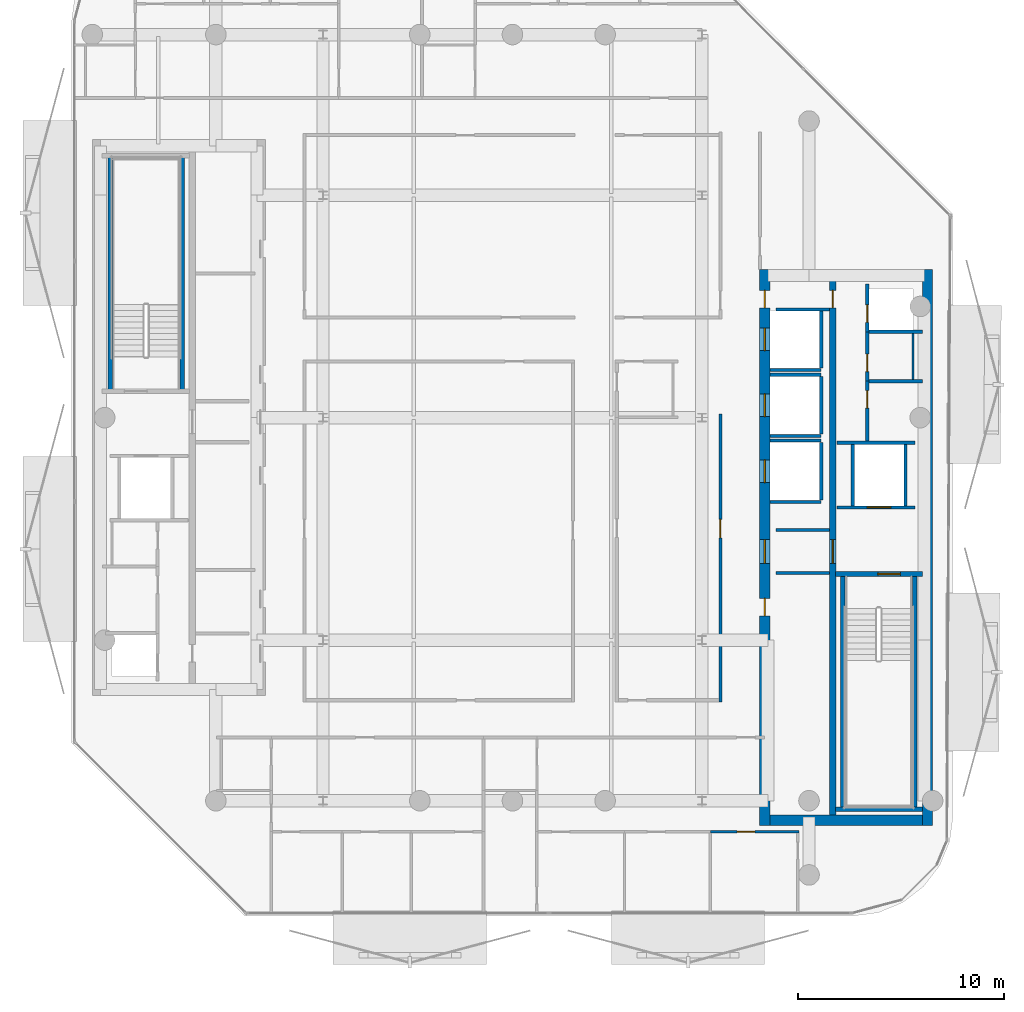
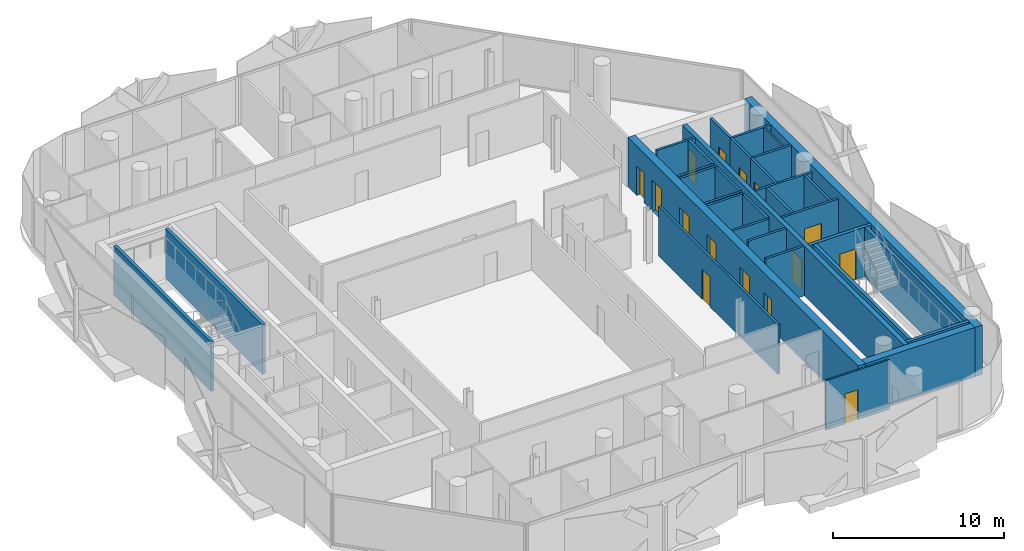
# One storey, part 6 of 17: 33 walls, 15 doors, 15 openings.
"""IFC4 building model written with IfcOpenShell, lengths in metres."""

from ifc_helpers import new_model, si_unit, direction, frame, frame_2d, origin, place, context, subcontext, project, spatial, rectangle, extrude, material, layer, layer_set, type_object, element, fill, save


model = new_model("IFC4")

# Units and contexts
model_context = context("Model", 3, precision=1e-05, world=origin(), true_north=direction((0.0, 1.0)))
body_context = subcontext(model_context, "Body", "Model", "MODEL_VIEW")
ifc_project = project(units=[si_unit("LENGTHUNIT", "METRE"), si_unit("AREAUNIT", "SQUARE_METRE"), si_unit("VOLUMEUNIT", "CUBIC_METRE"), si_unit("PLANEANGLEUNIT", "RADIAN"), si_unit("MASSUNIT", "GRAM", prefix="KILO")], contexts=[model_context])

# Site, building, storey
site_placement = place(None, origin())
site = spatial("IfcSite", under=ifc_project, at=site_placement, CompositionType="ELEMENT")
building_placement = place(site_placement, origin())
building = spatial("IfcBuilding", under=site, at=building_placement, Name="Khairoan Windgate Tower", CompositionType="ELEMENT")
storey_placement = place(building_placement, frame((0.0, 0.0, 304.199951171875)))
storey = spatial("IfcBuildingStorey", under=building, at=storey_placement, Name="L73", CompositionType="ELEMENT", Elevation=304.199951171875)

# Walls
ifc_material_1 = material(Name="Moisture-Resistant Gypsum Partition", Category="gypsum")
ifc_layer_1 = layer(ifc_material_1, 0.10009765625, Name="Moisture-Resistant Gypsum Partition")
ifc_layer_set_1 = layer_set([ifc_layer_1], Name="Moisture-Resistant Gypsum Partition")
wall_type_1 = type_object("IfcWallType", Name="Bathroom Wet-Area Partition Wall", PredefinedType="PARTITIONING", material=ifc_layer_set_1)
wall_1_placement = place(storey_placement, frame((19.449951171875, 4.090087890625, 0.0), z_axis=(0.0, 0.0, 1.0), x_axis=(0.0, -1.0, 0.0)))
element("IfcWall", 1, at=wall_1_placement, inside=storey, type_object=wall_type_1, Name="L73 Wet Room Side Wall 084", PredefinedType="PARTITIONING", context=body_context, shape_type="SweptSolid", body=[
    extrude(rectangle(XDim=2.239990234375, YDim=0.10009765625, at=frame_2d((1.1201171875, 0.0))), origin(), (0.0, 0.0, 1.0), 3.5400390625),
])
ifc_material_2 = material(Name="Concrete C40/50", Category="concrete")
ifc_layer_2 = layer(ifc_material_2, 0.159912109375, Name="Concrete C40/50")
ifc_layer_set_2 = layer_set([ifc_layer_2], Name="Concrete C40/50")
wall_type_2 = type_object("IfcWallType", Name="Core and Hoistway Enclosure Wall", PredefinedType="STANDARD", material=ifc_layer_set_2)
wall_2_placement = place(storey_placement, frame((12.5, 2.31005859375, 0.0), z_axis=(0.0, 0.0, 1.0), x_axis=(1.0, 0.0, 0.0)))
element("IfcWall", 2, at=wall_2_placement, inside=storey, type_object=wall_type_2, Name="L73 Lift PL7 Hoistway Divider S", PredefinedType="STANDARD", context=body_context, shape_type="SweptSolid", body=[
    extrude(rectangle(XDim=2.489990234375, YDim=0.159912109375, at=frame_2d((1.2451171875, 0.0))), origin(), (0.0, 0.0, 1.0), 3.5400390625),
])
wall_3_placement = place(storey_placement, frame((14.989990234375, 2.39990234375, 0.0), z_axis=(0.0, 0.0, 1.0), x_axis=(0.0, 1.0, 0.0)))
element("IfcWall", 3, at=wall_3_placement, inside=storey, type_object=wall_type_2, Name="L73 Lift PL7 Hoistway Back Wall", PredefinedType="STANDARD", context=body_context, shape_type="SweptSolid", body=[
    extrude(rectangle(XDim=2.800048828125, YDim=0.159912109375, at=frame_2d((1.39990234375, 0.0))), origin(), (0.0, 0.0, 1.0), 3.5400390625),
])
for number, where, z_axis, x_axis, name in (
    (4, (12.5, -0.889892578125, 0.0), (0.0, 0.0, 1.0), (1.0, 0.0, 0.0), "L73 Lift PL8 Hoistway Divider S"),
    (5, (12.5, 2.090087890625, 0.0), (0.0, 0.0, 1.0), (1.0, 0.0, 0.0), "L73 Lift PL8 Hoistway Divider N"),
):
    element("IfcWall", number, at=place(storey_placement, frame(where, z_axis=z_axis, x_axis=x_axis)), inside=storey, type_object=wall_type_2, Name=name, PredefinedType="STANDARD", context=body_context, shape_type="SweptSolid", body=[
        extrude(rectangle(XDim=2.489990234375, YDim=0.159912109375, at=frame_2d((1.2451171875, 0.0))), origin(), (0.0, 0.0, 1.0), 3.5400390625),
    ])
wall_4_placement = place(storey_placement, frame((14.989990234375, -0.800048828125, 0.0), z_axis=(0.0, 0.0, 1.0), x_axis=(0.0, 1.0, 0.0)))
element("IfcWall", 6, at=wall_4_placement, inside=storey, type_object=wall_type_2, Name="L73 Lift PL8 Hoistway Back Wall", PredefinedType="STANDARD", context=body_context, shape_type="SweptSolid", body=[
    extrude(rectangle(XDim=2.800048828125, YDim=0.159912109375, at=frame_2d((1.39990234375, 0.0))), origin(), (0.0, 0.0, 1.0), 3.5400390625),
])
for number, where, z_axis, x_axis, name in (
    (7, (12.5, -4.090087890625, 0.0), (0.0, 0.0, 1.0), (1.0, 0.0, 0.0), "L73 Lift PL9 Hoistway Divider S"),
    (8, (12.5, -1.110107421875, 0.0), (0.0, 0.0, 1.0), (1.0, 0.0, 0.0), "L73 Lift PL9 Hoistway Divider N"),
):
    element("IfcWall", number, at=place(storey_placement, frame(where, z_axis=z_axis, x_axis=x_axis)), inside=storey, type_object=wall_type_2, Name=name, PredefinedType="STANDARD", context=body_context, shape_type="SweptSolid", body=[
        extrude(rectangle(XDim=2.489990234375, YDim=0.159912109375, at=frame_2d((1.2451171875, 0.0))), origin(), (0.0, 0.0, 1.0), 3.5400390625),
    ])
wall_5_placement = place(storey_placement, frame((14.989990234375, -4.0, 0.0), z_axis=(0.0, 0.0, 1.0), x_axis=(0.0, 1.0, 0.0)))
element("IfcWall", 9, at=wall_5_placement, inside=storey, type_object=wall_type_2, Name="L73 Lift PL9 Hoistway Back Wall", PredefinedType="STANDARD", context=body_context, shape_type="SweptSolid", body=[
    extrude(rectangle(XDim=2.800048828125, YDim=0.159912109375, at=frame_2d((1.39990234375, 0.0))), origin(), (0.0, 0.0, 1.0), 3.5400390625),
])

# Wall, opening, door
wall_6_placement = place(storey_placement, frame((15.75, -4.360107421875, 0.0), z_axis=(0.0, 0.0, 1.0), x_axis=(1.0, 0.0, 0.0)))
wall_6 = element("IfcWall", 10, at=wall_6_placement, inside=storey, type_object=wall_type_2, Name="L73 Core Shaft Wall SW-FL1-L73", PredefinedType="STANDARD", context=body_context, shape_type="SweptSolid", body=[
    extrude(rectangle(XDim=3.800048828125, YDim=0.159912109375, at=frame_2d((1.89990234375, 0.0))), origin(), (0.0, 0.0, 1.0), 3.5400390625),
])
opening_1_placement = place(wall_6_placement, frame((1.469970703125, 0.0, 0.0)))
opening_1 = element("IfcOpeningElement", 11, at=opening_1_placement, cuts=wall_6, Name="Opening LD-FL", PredefinedType="OPENING", context=body_context, shape_type="SweptSolid", body=[
    extrude(rectangle(XDim=1.14990234375, YDim=2.199951171875, at=frame_2d((0.574951171875, 1.10009765625))), frame((0.0, 0.08984375, 0.0), z_axis=(0.0, -1.0, 0.0), x_axis=(1.0, 0.0, 0.0)), (0.0, 0.0, 1.0), 0.179931640625),
])
ifc_material_3 = material(Name="Steel S355", Category="steel")
door_type_1 = type_object("IfcDoorType", Name="Firefighting Lift Sliding Landing Door LD-FL 1150x2200", OperationType="DOUBLE_DOOR_SLIDING", PredefinedType="DOOR", material=ifc_material_3)
door_1_placement = place(opening_1_placement, origin())
door_1 = element("IfcDoor", 12, at=door_1_placement, inside=storey, type_object=door_type_1, Name="L73 Firefighting Lift FL1 Landing Door", OperationType="DOUBLE_DOOR_SLIDING", OverallHeight=2.199951171875, OverallWidth=1.14990234375, PredefinedType="DOOR", context=body_context, shape_type="SweptSolid", body=[
    extrude(rectangle(XDim=1.14990234375, YDim=2.199951171875, at=frame_2d((0.574951171875, 1.10009765625))), frame((0.0, 0.02490234375, 0.0), z_axis=(0.0, -1.0, 0.0), x_axis=(1.0, 0.0, 0.0)), (0.0, 0.0, 1.0), 0.050048828125),
])
fill(opening_1, door_1)

# Walls
wall_7_placement = place(storey_placement, frame((15.75, -1.219970703125, 0.0), z_axis=(0.0, 0.0, 1.0), x_axis=(1.0, 0.0, 0.0)))
element("IfcWall", 13, at=wall_7_placement, inside=storey, type_object=wall_type_2, Name="L73 Core Shaft Wall SW-FL1T-L73", PredefinedType="STANDARD", context=body_context, shape_type="SweptSolid", body=[
    extrude(rectangle(XDim=3.800048828125, YDim=0.159912109375, at=frame_2d((1.89990234375, 0.0))), origin(), (0.0, 0.0, 1.0), 3.5400390625),
])
for number, where, z_axis, x_axis, name in (
    (14, (16.52001953125, -4.280029296875, 0.0), (0.0, 0.0, 1.0), (0.0, 1.0, 0.0), "L73 Core Shaft Wall SW-FL1W-L73"),
    (15, (19.080078125, -4.280029296875, 0.0), (0.0, 0.0, 1.0), (0.0, 1.0, 0.0), "L73 Core Shaft Wall SW-FL1E-L73"),
):
    element("IfcWall", number, at=place(storey_placement, frame(where, z_axis=z_axis, x_axis=x_axis)), inside=storey, type_object=wall_type_2, Name=name, PredefinedType="STANDARD", context=body_context, shape_type="SweptSolid", body=[
        extrude(rectangle(XDim=2.97998046875, YDim=0.159912109375, at=frame_2d((1.489990234375, 0.0))), origin(), (0.0, 0.0, 1.0), 3.5400390625),
    ])
for number, where, z_axis, x_axis, name in (
    (16, (12.800048828125, -5.449951171875, 0.0), (0.0, 0.0, 1.0), (1.0, 0.0, 0.0), "L73 Core Shaft Wall SW-EV1-L73"),
    (17, (12.800048828125, -7.5400390625, 0.0), (0.0, 0.0, 1.0), (1.0, 0.0, 0.0), "L73 Core Shaft Wall SW-EV2-L73"),
    (18, (12.800048828125, 5.25, 0.0), (0.0, 0.0, 1.0), (1.0, 0.0, 0.0), "L73 Core Shaft Wall SW-ESV-L73"),
):
    element("IfcWall", number, at=place(storey_placement, frame(where, z_axis=z_axis, x_axis=x_axis)), inside=storey, type_object=wall_type_2, Name=name, PredefinedType="STANDARD", context=body_context, shape_type="SweptSolid", body=[
        extrude(rectangle(XDim=2.599853515625, YDim=0.159912109375, at=frame_2d((1.2998046875, 0.0))), origin(), (0.0, 0.0, 1.0), 3.5400390625),
    ])

# Wall, opening, door
ifc_material_4 = material(Name="Gypsum Stud Partition", Category="gypsum")
ifc_layer_3 = layer(ifc_material_4, 0.1201171875, Name="Gypsum Stud Partition")
ifc_layer_set_3 = layer_set([ifc_layer_3], Name="Gypsum Stud Partition")
wall_type_3 = type_object("IfcWallType", Name="Internal Room Partition Wall", PredefinedType="PARTITIONING", material=ifc_layer_set_3)
wall_8_placement = place(storey_placement, frame((9.610107421875, -20.10009765625, 0.0), z_axis=(0.0, 0.0, 1.0), x_axis=(1.0, 0.0, 0.0)))
wall_8 = element("IfcWall", 19, at=wall_8_placement, inside=storey, type_object=wall_type_3, Name="L73 Interior Partition 078", PredefinedType="PARTITIONING", context=body_context, shape_type="SweptSolid", body=[
    extrude(rectangle(XDim=4.309814453125, YDim=0.1201171875, at=frame_2d((2.15478515625, 0.0))), origin(), (0.0, 0.0, 1.0), 3.5400390625),
])
opening_2_placement = place(wall_8_placement, frame((1.30322265625, 0.0, 0.0)))
opening_2 = element("IfcOpeningElement", 20, at=opening_2_placement, cuts=wall_8, Name="Opening ID-RM", PredefinedType="OPENING", context=body_context, shape_type="SweptSolid", body=[
    extrude(rectangle(XDim=0.860107421875, YDim=2.14990234375, at=frame_2d((0.43017578125, 1.074951171875))), frame((0.0, 0.070068359375, 0.0), z_axis=(0.0, -1.0, 0.0), x_axis=(1.0, 0.0, 0.0)), (0.0, 0.0, 1.0), 0.14013671875),
])
ifc_material_5 = material(Name="Teak Veneer Timber Leaf", Category="wood")
door_type_2 = type_object("IfcDoorType", Name="Internal Bedroom and Office Door ID-RM 860x2150", OperationType="NOTDEFINED", PredefinedType="DOOR", material=ifc_material_5)
door_2_placement = place(opening_2_placement, origin())
door_2 = element("IfcDoor", 21, at=door_2_placement, inside=storey, type_object=door_type_2, Name="L73 L73-54-L73-58 Door", OperationType="SINGLE_SWING_RIGHT", OverallHeight=2.14990234375, OverallWidth=0.860107421875, PredefinedType="DOOR", context=body_context, shape_type="SweptSolid", body=[
    extrude(rectangle(XDim=0.860107421875, YDim=2.14990234375, at=frame_2d((0.43017578125, 1.074951171875))), frame((0.0, 0.02490234375, 0.0), z_axis=(0.0, -1.0, 0.0), x_axis=(1.0, 0.0, 0.0)), (0.0, 0.0, 1.0), 0.050048828125),
])
fill(opening_2, door_2)

ifc_material_6 = material(Name="Concrete C40/50", Category="concrete")
ifc_layer_4 = layer(ifc_material_6, 0.159912109375, Name="Concrete C40/50")
ifc_layer_set_4 = layer_set([ifc_layer_4], Name="Concrete C40/50")
wall_type_4 = type_object("IfcWallType", Name="Plant and Refuge Compartment Wall", PredefinedType="PARTITIONING", material=ifc_layer_set_4)
wall_9_placement = place(storey_placement, frame((17.22998046875, 4.169921875, 0.0), z_axis=(0.0, 0.0, 1.0), x_axis=(0.0, 1.0, 0.0)))
wall_9 = element("IfcWall", 22, at=wall_9_placement, inside=storey, type_object=wall_type_4, Name="L73 Interior Partition 008", PredefinedType="PARTITIONING", context=body_context, shape_type="SweptSolid", body=[
    extrude(rectangle(XDim=2.320068359375, YDim=0.159912109375, at=frame_2d((1.16015625, 0.0))), origin(), (0.0, 0.0, 1.0), 3.5400390625),
])
opening_3_placement = place(wall_9_placement, frame((0.4599609375, 0.0, 0.0)))
opening_3 = element("IfcOpeningElement", 23, at=opening_3_placement, cuts=wall_9, Name="Opening FD-SRV", PredefinedType="OPENING", context=body_context, shape_type="SweptSolid", body=[
    extrude(rectangle(XDim=0.85009765625, YDim=2.10009765625, at=frame_2d((0.425048828125, 1.050048828125))), frame((0.0, 0.08984375, 0.0), z_axis=(0.0, -1.0, 0.0), x_axis=(1.0, 0.0, 0.0)), (0.0, 0.0, 1.0), 0.179931640625),
])
ifc_material_7 = material(Name="Steel S355", Category="steel")
door_type_3 = type_object("IfcDoorType", Name="Core Service and Riser Fire Door FD-SRV 850x2100", OperationType="NOTDEFINED", PredefinedType="DOOR", material=ifc_material_7)
door_3_placement = place(opening_3_placement, origin())
door_3 = element("IfcDoor", 24, at=door_3_placement, inside=storey, type_object=door_type_3, Name="L73 L73-17-L73-18 Door", OperationType="SINGLE_SWING_LEFT", OverallHeight=2.10009765625, OverallWidth=0.85009765625, PredefinedType="DOOR", context=body_context, shape_type="SweptSolid", body=[
    extrude(rectangle(XDim=0.85009765625, YDim=2.10009765625, at=frame_2d((0.425048828125, 1.050048828125))), frame((0.0, 0.02490234375, 0.0), z_axis=(0.0, -1.0, 0.0), x_axis=(1.0, 0.0, 0.0)), (0.0, 0.0, 1.0), 0.050048828125),
])
fill(opening_3, door_3)

wall_10_placement = place(storey_placement, frame((17.22998046875, 1.77001953125, 0.0), z_axis=(0.0, 0.0, 1.0), x_axis=(0.0, 1.0, 0.0)))
wall_10 = element("IfcWall", 25, at=wall_10_placement, inside=storey, type_object=wall_type_4, Name="L73 Interior Partition 009", PredefinedType="PARTITIONING", context=body_context, shape_type="SweptSolid", body=[
    extrude(rectangle(XDim=2.39990234375, YDim=0.159912109375, at=frame_2d((1.199951171875, 0.0))), origin(), (0.0, 0.0, 1.0), 3.5400390625),
])
opening_4_placement = place(wall_10_placement, frame((0.4599609375, 0.0, 0.0)))
opening_4 = element("IfcOpeningElement", 26, at=opening_4_placement, cuts=wall_10, Name="Opening FD-SRV", PredefinedType="OPENING", context=body_context, shape_type="SweptSolid", body=[
    extrude(rectangle(XDim=0.85009765625, YDim=2.10009765625, at=frame_2d((0.425048828125, 1.050048828125))), frame((0.0, 0.08984375, 0.0), z_axis=(0.0, -1.0, 0.0), x_axis=(1.0, 0.0, 0.0)), (0.0, 0.0, 1.0), 0.179931640625),
])
door_4_placement = place(opening_4_placement, origin())
door_4 = element("IfcDoor", 27, at=door_4_placement, inside=storey, type_object=door_type_3, Name="L73 L73-17-L73-19 Door", OperationType="SINGLE_SWING_RIGHT", OverallHeight=2.10009765625, OverallWidth=0.85009765625, PredefinedType="DOOR", context=body_context, shape_type="SweptSolid", body=[
    extrude(rectangle(XDim=0.85009765625, YDim=2.10009765625, at=frame_2d((0.425048828125, 1.050048828125))), frame((0.0, 0.02490234375, 0.0), z_axis=(0.0, -1.0, 0.0), x_axis=(1.0, 0.0, 0.0)), (0.0, 0.0, 1.0), 0.050048828125),
])
fill(opening_4, door_4)

wall_11_placement = place(storey_placement, frame((17.22998046875, -1.139892578125, 0.0), z_axis=(0.0, 0.0, 1.0), x_axis=(0.0, 1.0, 0.0)))
wall_11 = element("IfcWall", 28, at=wall_11_placement, inside=storey, type_object=wall_type_4, Name="L73 Interior Partition 010", PredefinedType="PARTITIONING", context=body_context, shape_type="SweptSolid", body=[
    extrude(rectangle(XDim=2.909912109375, YDim=0.159912109375, at=frame_2d((1.455078125, 0.0))), origin(), (0.0, 0.0, 1.0), 3.5400390625),
])
opening_5_placement = place(wall_11_placement, frame((1.60009765625, 0.0, 0.0)))
opening_5 = element("IfcOpeningElement", 29, at=opening_5_placement, cuts=wall_11, Name="Opening FD-SRV", PredefinedType="OPENING", context=body_context, shape_type="SweptSolid", body=[
    extrude(rectangle(XDim=0.85009765625, YDim=2.10009765625, at=frame_2d((0.425048828125, 1.050048828125))), frame((0.0, 0.08984375, 0.0), z_axis=(0.0, -1.0, 0.0), x_axis=(1.0, 0.0, 0.0)), (0.0, 0.0, 1.0), 0.179931640625),
])
door_5_placement = place(opening_5_placement, origin())
door_5 = element("IfcDoor", 30, at=door_5_placement, inside=storey, type_object=door_type_3, Name="L73 L73-17-L73-20 Door", OperationType="SINGLE_SWING_LEFT", OverallHeight=2.10009765625, OverallWidth=0.85009765625, PredefinedType="DOOR", context=body_context, shape_type="SweptSolid", body=[
    extrude(rectangle(XDim=0.85009765625, YDim=2.10009765625, at=frame_2d((0.425048828125, 1.050048828125))), frame((0.0, 0.02490234375, 0.0), z_axis=(0.0, -1.0, 0.0), x_axis=(1.0, 0.0, 0.0)), (0.0, 0.0, 1.0), 0.050048828125),
])
fill(opening_5, door_5)

# Walls
for number, where, z_axis, x_axis, name in (
    (31, (17.31005859375, 4.169921875, 0.0), (0.0, 0.0, 1.0), (1.0, 0.0, 0.0), "L73 Interior Partition 011"),
    (32, (17.31005859375, 1.77001953125, 0.0), (0.0, 0.0, 1.0), (1.0, 0.0, 0.0), "L73 Interior Partition 012"),
):
    element("IfcWall", number, at=place(storey_placement, frame(where, z_axis=z_axis, x_axis=x_axis)), inside=storey, type_object=wall_type_4, Name=name, PredefinedType="PARTITIONING", context=body_context, shape_type="SweptSolid", body=[
        extrude(rectangle(XDim=2.58984375, YDim=0.159912109375, at=frame_2d((1.294921875, 0.0))), origin(), (0.0, 0.0, 1.0), 3.5400390625),
    ])

# Wall, opening, door
ifc_material_8 = material(Name="Acoustic Fire-Rated Gypsum Partition", Category="gypsum")
ifc_layer_5 = layer(ifc_material_8, 0.14990234375, Name="Acoustic Fire-Rated Gypsum Partition")
ifc_layer_set_5 = layer_set([ifc_layer_5], Name="Acoustic Fire-Rated Gypsum Partition")
wall_type_5 = type_object("IfcWallType", Name="Rated Corridor Partition Wall", PredefinedType="PARTITIONING", material=ifc_layer_set_5)
wall_12_placement = place(storey_placement, frame((10.10009765625, -13.794921875, 0.0), z_axis=(0.0, 0.0, 1.0), x_axis=(0.0, 1.0, 0.0)))
wall_12 = element("IfcWall", 33, at=wall_12_placement, inside=storey, type_object=wall_type_5, Name="L73 Interior Partition 017", PredefinedType="PARTITIONING", context=body_context, shape_type="SweptSolid", body=[
    extrude(rectangle(XDim=13.974853515625, YDim=0.14990234375, at=frame_2d((6.9873046875, 0.0))), origin(), (0.0, 0.0, 1.0), 3.5400390625),
])
opening_6_placement = place(wall_12_placement, frame((7.95556640625, 0.0, 0.0)))
opening_6 = element("IfcOpeningElement", 34, at=opening_6_placement, cuts=wall_12, Name="Opening FD-ENT", PredefinedType="OPENING", context=body_context, shape_type="SweptSolid", body=[
    extrude(rectangle(XDim=0.89990234375, YDim=2.14990234375, at=frame_2d((0.449951171875, 1.074951171875))), frame((0.0, 0.0849609375, 0.0), z_axis=(0.0, -1.0, 0.0), x_axis=(1.0, 0.0, 0.0)), (0.0, 0.0, 1.0), 0.169921875),
])
ifc_material_9 = material(Name="Timber Fire-Rated Core", Category="wood")
door_type_4 = type_object("IfcDoorType", Name="Unit and Office Fire Entrance Door FD-ENT 900x2150", OperationType="NOTDEFINED", PredefinedType="DOOR", material=ifc_material_9)
door_6_placement = place(opening_6_placement, origin())
door_6 = element("IfcDoor", 35, at=door_6_placement, inside=storey, type_object=door_type_4, Name="L73 L73-28-L73-64 Door", OperationType="SINGLE_SWING_RIGHT", OverallHeight=2.14990234375, OverallWidth=0.89990234375, PredefinedType="DOOR", context=body_context, shape_type="SweptSolid", body=[
    extrude(rectangle(XDim=0.89990234375, YDim=2.14990234375, at=frame_2d((0.449951171875, 1.074951171875))), frame((0.0, 0.02490234375, 0.0), z_axis=(0.0, -1.0, 0.0), x_axis=(1.0, 0.0, 0.0)), (0.0, 0.0, 1.0), 0.050048828125),
])
fill(opening_6, door_6)

# Wall, openings, doors
ifc_material_10 = material(Name="Concrete C50/60", Category="concrete")
ifc_layer_6 = layer(ifc_material_10, 0.5, Name="Concrete C50/60")
ifc_layer_set_6 = layer_set([ifc_layer_6], Name="Concrete C50/60")
wall_type_6 = type_object("IfcWallType", Name="Shear Wall CW-E3 500mm", PredefinedType="SHEAR", material=ifc_layer_set_6)
wall_13_placement = place(storey_placement, frame((12.25, -19.800048828125, 0.0), z_axis=(0.0, 0.0, 1.0), x_axis=(0.0, 1.0, 0.0)))
wall_13 = element("IfcWall", 36, at=wall_13_placement, inside=storey, type_object=wall_type_6, Name="E Core West Shear Wall L73", PredefinedType="SHEAR", context=body_context, shape_type="SweptSolid", body=[
    extrude(rectangle(XDim=27.0, YDim=0.5, at=frame_2d((13.5, 0.0))), origin(), (0.0, 0.0, 1.0), 3.5400390625),
])
opening_7_placement = place(wall_13_placement, frame((23.050048828125, 0.0, 0.0)))
opening_7 = element("IfcOpeningElement", 37, at=opening_7_placement, cuts=wall_13, Name="Opening LD-PL", PredefinedType="OPENING", context=body_context, shape_type="SweptSolid", body=[
    extrude(rectangle(XDim=1.10009765625, YDim=2.199951171875, at=frame_2d((0.550048828125, 1.10009765625))), frame((0.0, 0.260009765625, 0.0), z_axis=(0.0, -1.0, 0.0), x_axis=(1.0, 0.0, 0.0)), (0.0, 0.0, 1.0), 0.52001953125),
])
opening_8_placement = place(wall_13_placement, frame((19.85009765625, 0.0, 0.0)))
opening_8 = element("IfcOpeningElement", 38, at=opening_8_placement, cuts=wall_13, Name="Opening LD-PL", PredefinedType="OPENING", context=body_context, shape_type="SweptSolid", body=[
    extrude(rectangle(XDim=1.10009765625, YDim=2.199951171875, at=frame_2d((0.550048828125, 1.10009765625))), frame((0.0, 0.260009765625, 0.0), z_axis=(0.0, -1.0, 0.0), x_axis=(1.0, 0.0, 0.0)), (0.0, 0.0, 1.0), 0.52001953125),
])
opening_9_placement = place(wall_13_placement, frame((16.64990234375, 0.0, 0.0)))
opening_9 = element("IfcOpeningElement", 39, at=opening_9_placement, cuts=wall_13, Name="Opening LD-PL", PredefinedType="OPENING", context=body_context, shape_type="SweptSolid", body=[
    extrude(rectangle(XDim=1.10009765625, YDim=2.199951171875, at=frame_2d((0.550048828125, 1.10009765625))), frame((0.0, 0.260009765625, 0.0), z_axis=(0.0, -1.0, 0.0), x_axis=(1.0, 0.0, 0.0)), (0.0, 0.0, 1.0), 0.52001953125),
])
opening_10_placement = place(wall_13_placement, frame((10.175048828125, 0.0, 0.0)))
opening_10 = element("IfcOpeningElement", 40, at=opening_10_placement, cuts=wall_13, Name="Opening FD-SRV", PredefinedType="OPENING", context=body_context, shape_type="SweptSolid", body=[
    extrude(rectangle(XDim=0.85009765625, YDim=2.10009765625, at=frame_2d((0.425048828125, 1.050048828125))), frame((0.0, 0.260009765625, 0.0), z_axis=(0.0, -1.0, 0.0), x_axis=(1.0, 0.0, 0.0)), (0.0, 0.0, 1.0), 0.52001953125),
])
opening_11_placement = place(wall_13_placement, frame((12.72509765625, 0.0, 0.0)))
opening_11 = element("IfcOpeningElement", 41, at=opening_11_placement, cuts=wall_13, Name="Opening FD-FFL", PredefinedType="OPENING", context=body_context, shape_type="SweptSolid", body=[
    extrude(rectangle(XDim=1.14990234375, YDim=2.199951171875, at=frame_2d((0.574951171875, 1.10009765625))), frame((0.0, 0.260009765625, 0.0), z_axis=(0.0, -1.0, 0.0), x_axis=(1.0, 0.0, 0.0)), (0.0, 0.0, 1.0), 0.52001953125),
])
opening_12_placement = place(wall_13_placement, frame((25.125, 0.0, 0.0)))
opening_12 = element("IfcOpeningElement", 42, at=opening_12_placement, cuts=wall_13, Name="Opening FD-SRV", PredefinedType="OPENING", context=body_context, shape_type="SweptSolid", body=[
    extrude(rectangle(XDim=0.85009765625, YDim=2.10009765625, at=frame_2d((0.425048828125, 1.050048828125))), frame((0.0, 0.260009765625, 0.0), z_axis=(0.0, -1.0, 0.0), x_axis=(1.0, 0.0, 0.0)), (0.0, 0.0, 1.0), 0.52001953125),
])
door_7_placement = place(opening_10_placement, origin())
door_7 = element("IfcDoor", 43, at=door_7_placement, inside=storey, type_object=door_type_3, Name="L73 East Core Service Room Door 1", OperationType="SINGLE_SWING_LEFT", OverallHeight=2.10009765625, OverallWidth=0.85009765625, PredefinedType="DOOR", context=body_context, shape_type="SweptSolid", body=[
    extrude(rectangle(XDim=0.85009765625, YDim=2.10009765625, at=frame_2d((0.425048828125, 1.050048828125))), frame((0.0, 0.02490234375, 0.0), z_axis=(0.0, -1.0, 0.0), x_axis=(1.0, 0.0, 0.0)), (0.0, 0.0, 1.0), 0.050048828125),
])
fill(opening_10, door_7)
door_8_placement = place(opening_12_placement, origin())
door_8 = element("IfcDoor", 44, at=door_8_placement, inside=storey, type_object=door_type_3, Name="L73 East Core Service Vestibule Outer Door", OperationType="SINGLE_SWING_RIGHT", OverallHeight=2.10009765625, OverallWidth=0.85009765625, PredefinedType="DOOR", context=body_context, shape_type="SweptSolid", body=[
    extrude(rectangle(XDim=0.85009765625, YDim=2.10009765625, at=frame_2d((0.425048828125, 1.050048828125))), frame((0.0, 0.02490234375, 0.0), z_axis=(0.0, -1.0, 0.0), x_axis=(1.0, 0.0, 0.0)), (0.0, 0.0, 1.0), 0.050048828125),
])
fill(opening_12, door_8)
ifc_material_11 = material(Name="Steel S355", Category="steel")
door_type_5 = type_object("IfcDoorType", Name="Firefighting Lobby Fire Door FD-FFL 1150x2200", OperationType="NOTDEFINED", PredefinedType="DOOR", material=ifc_material_11)
door_9_placement = place(opening_11_placement, origin())
door_9 = element("IfcDoor", 45, at=door_9_placement, inside=storey, type_object=door_type_5, Name="L73 East Core Vestibule Entry Door", OperationType="SINGLE_SWING_RIGHT", OverallHeight=2.199951171875, OverallWidth=1.14990234375, PredefinedType="DOOR", context=body_context, shape_type="SweptSolid", body=[
    extrude(rectangle(XDim=1.14990234375, YDim=2.199951171875, at=frame_2d((0.574951171875, 1.10009765625))), frame((0.0, 0.02490234375, 0.0), z_axis=(0.0, -1.0, 0.0), x_axis=(1.0, 0.0, 0.0)), (0.0, 0.0, 1.0), 0.050048828125),
])
fill(opening_11, door_9)
ifc_material_12 = material(Name="Anodised Bronze Aluminium 6063-T6", Category="aluminium")
door_type_6 = type_object("IfcDoorType", Name="Passenger Lift Sliding Landing Door LD-PL 1100x2200", OperationType="DOUBLE_DOOR_SLIDING", PredefinedType="DOOR", material=ifc_material_12)
door_10_placement = place(opening_7_placement, origin())
door_10 = element("IfcDoor", 46, at=door_10_placement, inside=storey, type_object=door_type_6, Name="L73 Lift PL7 Sliding Landing Door", OperationType="DOUBLE_DOOR_SLIDING", OverallHeight=2.199951171875, OverallWidth=1.10009765625, PredefinedType="DOOR", context=body_context, shape_type="SweptSolid", body=[
    extrude(rectangle(XDim=1.10009765625, YDim=2.199951171875, at=frame_2d((0.550048828125, 1.10009765625))), frame((0.0, 0.02490234375, 0.0), z_axis=(0.0, -1.0, 0.0), x_axis=(1.0, 0.0, 0.0)), (0.0, 0.0, 1.0), 0.050048828125),
])
fill(opening_7, door_10)
door_11_placement = place(opening_8_placement, origin())
door_11 = element("IfcDoor", 47, at=door_11_placement, inside=storey, type_object=door_type_6, Name="L73 Lift PL8 Sliding Landing Door", OperationType="DOUBLE_DOOR_SLIDING", OverallHeight=2.199951171875, OverallWidth=1.10009765625, PredefinedType="DOOR", context=body_context, shape_type="SweptSolid", body=[
    extrude(rectangle(XDim=1.10009765625, YDim=2.199951171875, at=frame_2d((0.550048828125, 1.10009765625))), frame((0.0, 0.02490234375, 0.0), z_axis=(0.0, -1.0, 0.0), x_axis=(1.0, 0.0, 0.0)), (0.0, 0.0, 1.0), 0.050048828125),
])
fill(opening_8, door_11)
door_12_placement = place(opening_9_placement, origin())
door_12 = element("IfcDoor", 48, at=door_12_placement, inside=storey, type_object=door_type_6, Name="L73 Lift PL9 Sliding Landing Door", OperationType="DOUBLE_DOOR_SLIDING", OverallHeight=2.199951171875, OverallWidth=1.10009765625, PredefinedType="DOOR", context=body_context, shape_type="SweptSolid", body=[
    extrude(rectangle(XDim=1.10009765625, YDim=2.199951171875, at=frame_2d((0.550048828125, 1.10009765625))), frame((0.0, 0.02490234375, 0.0), z_axis=(0.0, -1.0, 0.0), x_axis=(1.0, 0.0, 0.0)), (0.0, 0.0, 1.0), 0.050048828125),
])
fill(opening_9, door_12)

# Walls
wall_14_placement = place(storey_placement, frame((20.14990234375, -19.800048828125, 0.0), z_axis=(0.0, 0.0, 1.0), x_axis=(0.0, 1.0, 0.0)))
element("IfcWall", 49, at=wall_14_placement, inside=storey, type_object=wall_type_6, Name="E Core East Shear Wall L73", PredefinedType="SHEAR", context=body_context, shape_type="SweptSolid", body=[
    extrude(rectangle(XDim=27.0, YDim=0.5, at=frame_2d((13.5, 0.0))), origin(), (0.0, 0.0, 1.0), 3.5400390625),
])
wall_15_placement = place(storey_placement, frame((12.5, -19.550048828125, 0.0), z_axis=(0.0, 0.0, 1.0), x_axis=(1.0, 0.0, 0.0)))
element("IfcWall", 50, at=wall_15_placement, inside=storey, type_object=wall_type_6, Name="E Core South Shear Wall L73", PredefinedType="SHEAR", context=body_context, shape_type="SweptSolid", body=[
    extrude(rectangle(XDim=7.39990234375, YDim=0.5, at=frame_2d((3.699951171875, 0.0))), origin(), (0.0, 0.0, 1.0), 3.5400390625),
])

# Wall, openings, doors
ifc_material_13 = material(Name="Concrete C50/60", Category="concrete")
ifc_layer_7 = layer(ifc_material_13, 0.300048828125, Name="Concrete C50/60")
ifc_layer_set_7 = layer_set([ifc_layer_7], Name="Concrete C50/60")
wall_type_7 = type_object("IfcWallType", Name="Shear Wall SW-2 300mm", PredefinedType="SHEAR", material=ifc_layer_set_7)
wall_16_placement = place(storey_placement, frame((15.550048828125, -19.300048828125, 0.0), z_axis=(0.0, 0.0, 1.0), x_axis=(0.0, 1.0, 0.0)))
wall_16 = element("IfcWall", 51, at=wall_16_placement, inside=storey, type_object=wall_type_7, Name="E Core Spine Shear Wall L73", PredefinedType="SHEAR", context=body_context, shape_type="SweptSolid", body=[
    extrude(rectangle(XDim=26.0, YDim=0.300048828125, at=frame_2d((13.0, 0.0))), origin(), (0.0, 0.0, 1.0), 3.5400390625),
])
opening_13_placement = place(wall_16_placement, frame((12.22509765625, 0.0, 0.0)))
opening_13 = element("IfcOpeningElement", 52, at=opening_13_placement, cuts=wall_16, Name="Opening FD-FFL", PredefinedType="OPENING", context=body_context, shape_type="SweptSolid", body=[
    extrude(rectangle(XDim=1.14990234375, YDim=2.199951171875, at=frame_2d((0.574951171875, 1.10009765625))), frame((0.0, 0.159912109375, 0.0), z_axis=(0.0, -1.0, 0.0), x_axis=(1.0, 0.0, 0.0)), (0.0, 0.0, 1.0), 0.320068359375),
])
opening_14_placement = place(wall_16_placement, frame((24.625, 0.0, 0.0)))
opening_14 = element("IfcOpeningElement", 53, at=opening_14_placement, cuts=wall_16, Name="Opening FD-SRV", PredefinedType="OPENING", context=body_context, shape_type="SweptSolid", body=[
    extrude(rectangle(XDim=0.85009765625, YDim=2.10009765625, at=frame_2d((0.425048828125, 1.050048828125))), frame((0.0, 0.159912109375, 0.0), z_axis=(0.0, -1.0, 0.0), x_axis=(1.0, 0.0, 0.0)), (0.0, 0.0, 1.0), 0.320068359375),
])
door_13_placement = place(opening_14_placement, origin())
door_13 = element("IfcDoor", 54, at=door_13_placement, inside=storey, type_object=door_type_3, Name="L73 East Core Service Passage Inner Door", OperationType="SINGLE_SWING_LEFT", OverallHeight=2.10009765625, OverallWidth=0.85009765625, PredefinedType="DOOR", context=body_context, shape_type="SweptSolid", body=[
    extrude(rectangle(XDim=0.85009765625, YDim=2.10009765625, at=frame_2d((0.425048828125, 1.050048828125))), frame((0.0, 0.02490234375, 0.0), z_axis=(0.0, -1.0, 0.0), x_axis=(1.0, 0.0, 0.0)), (0.0, 0.0, 1.0), 0.050048828125),
])
fill(opening_14, door_13)
door_14_placement = place(opening_13_placement, origin())
door_14 = element("IfcDoor", 55, at=door_14_placement, inside=storey, type_object=door_type_5, Name="L73 East Firefighting Lobby Fire Door", OperationType="SINGLE_SWING_LEFT", OverallHeight=2.199951171875, OverallWidth=1.14990234375, PredefinedType="DOOR", context=body_context, shape_type="SweptSolid", body=[
    extrude(rectangle(XDim=1.14990234375, YDim=2.199951171875, at=frame_2d((0.574951171875, 1.10009765625))), frame((0.0, 0.02490234375, 0.0), z_axis=(0.0, -1.0, 0.0), x_axis=(1.0, 0.0, 0.0)), (0.0, 0.0, 1.0), 0.050048828125),
])
fill(opening_13, door_14)

# Walls
ifc_material_14 = material(Name="Concrete C50/60", Category="concrete")
ifc_layer_8 = layer(ifc_material_14, 0.219970703125, Name="Concrete C50/60")
ifc_layer_set_8 = layer_set([ifc_layer_8], Name="Concrete C50/60")
wall_type_8 = type_object("IfcWallType", Name="Shear Wall SW-ST 220mm", PredefinedType="SHEAR", material=ifc_layer_set_8)
for number, where, z_axis, x_axis, name in (
    (56, (16.0400390625, -19.010009765625, 0.0), (0.0, 0.0, 1.0), (0.0, 1.0, 0.0), "L73 Stair ST1 West Bearing Wall"),
    (57, (19.530029296875, -19.010009765625, 0.0), (0.0, 0.0, 1.0), (0.0, 1.0, 0.0), "L73 Stair ST1 East Bearing Wall"),
):
    element("IfcWall", number, at=place(storey_placement, frame(where, z_axis=z_axis, x_axis=x_axis)), inside=storey, type_object=wall_type_8, Name=name, PredefinedType="SHEAR", context=body_context, shape_type="SweptSolid", body=[
        extrude(rectangle(XDim=11.419921875, YDim=0.219970703125, at=frame_2d((5.7099609375, 0.0))), origin(), (0.0, 0.0, 1.0), 3.5400390625),
    ])
wall_17_placement = place(storey_placement, frame((15.679931640625, -19.010009765625, 0.0), z_axis=(0.0, 0.0, 1.0), x_axis=(1.0, 0.0, 0.0)))
element("IfcWall", 58, at=wall_17_placement, inside=storey, type_object=wall_type_8, Name="L73 Stair ST1 South Bearing Wall", PredefinedType="SHEAR", context=body_context, shape_type="SweptSolid", body=[
    extrude(rectangle(XDim=4.239990234375, YDim=0.219970703125, at=frame_2d((2.1201171875, 0.0))), origin(), (0.0, 0.0, 1.0), 3.5400390625),
])

# Wall, opening, door
wall_18_placement = place(storey_placement, frame((19.919921875, -7.590087890625, 0.0), z_axis=(0.0, 0.0, 1.0), x_axis=(-1.0, 0.0, 0.0)))
wall_18 = element("IfcWall", 59, at=wall_18_placement, inside=storey, type_object=wall_type_8, Name="L73 Stair ST1 North Bearing Wall", PredefinedType="SHEAR", context=body_context, shape_type="SweptSolid", body=[
    extrude(rectangle(XDim=4.239990234375, YDim=0.219970703125, at=frame_2d((2.1201171875, 0.0))), origin(), (0.0, 0.0, 1.0), 3.5400390625),
])
opening_15_placement = place(wall_18_placement, frame((1.080078125, 0.0, 0.0)))
opening_15 = element("IfcOpeningElement", 60, at=opening_15_placement, cuts=wall_18, Name="Opening FD-ST", PredefinedType="OPENING", context=body_context, shape_type="SweptSolid", body=[
    extrude(rectangle(XDim=1.10009765625, YDim=2.199951171875, at=frame_2d((0.550048828125, 1.10009765625))), frame((0.0, 0.119873046875, 0.0), z_axis=(0.0, -1.0, 0.0), x_axis=(1.0, 0.0, 0.0)), (0.0, 0.0, 1.0), 0.239990234375),
])
ifc_material_15 = material(Name="Steel S355", Category="steel")
door_type_7 = type_object("IfcDoorType", Name="Smokeproof Stair Fire Door FD-ST 1100x2200", OperationType="NOTDEFINED", PredefinedType="DOOR", material=ifc_material_15)
door_15_placement = place(opening_15_placement, origin())
door_15 = element("IfcDoor", 61, at=door_15_placement, inside=storey, type_object=door_type_7, Name="L73 Stair ST1 Fire Door", OperationType="SINGLE_SWING_LEFT", OverallHeight=2.199951171875, OverallWidth=1.10009765625, PredefinedType="DOOR", context=body_context, shape_type="SweptSolid", body=[
    extrude(rectangle(XDim=1.10009765625, YDim=2.199951171875, at=frame_2d((0.550048828125, 1.10009765625))), frame((0.0, 0.02490234375, 0.0), z_axis=(0.0, -1.0, 0.0), x_axis=(1.0, 0.0, 0.0)), (0.0, 0.0, 1.0), 0.050048828125),
])
fill(opening_15, door_15)

# Walls
for number, where, z_axis, x_axis, name in (
    (62, (-16.0400390625, 1.2900390625, 0.0), (0.0, 0.0, 1.0), (0.0, 1.0, 0.0), "L73 Stair ST2 East Bearing Wall"),
    (63, (-19.530029296875, 1.2900390625, 0.0), (0.0, 0.0, 1.0), (0.0, 1.0, 0.0), "L73 Stair ST2 West Bearing Wall"),
):
    element("IfcWall", number, at=place(storey_placement, frame(where, z_axis=z_axis, x_axis=x_axis)), inside=storey, type_object=wall_type_8, Name=name, PredefinedType="SHEAR", context=body_context, shape_type="SweptSolid", body=[
        extrude(rectangle(XDim=11.419921875, YDim=0.219970703125, at=frame_2d((5.7099609375, 0.0))), origin(), (0.0, 0.0, 1.0), 3.5400390625),
    ])

save(model, "model.ifc")
